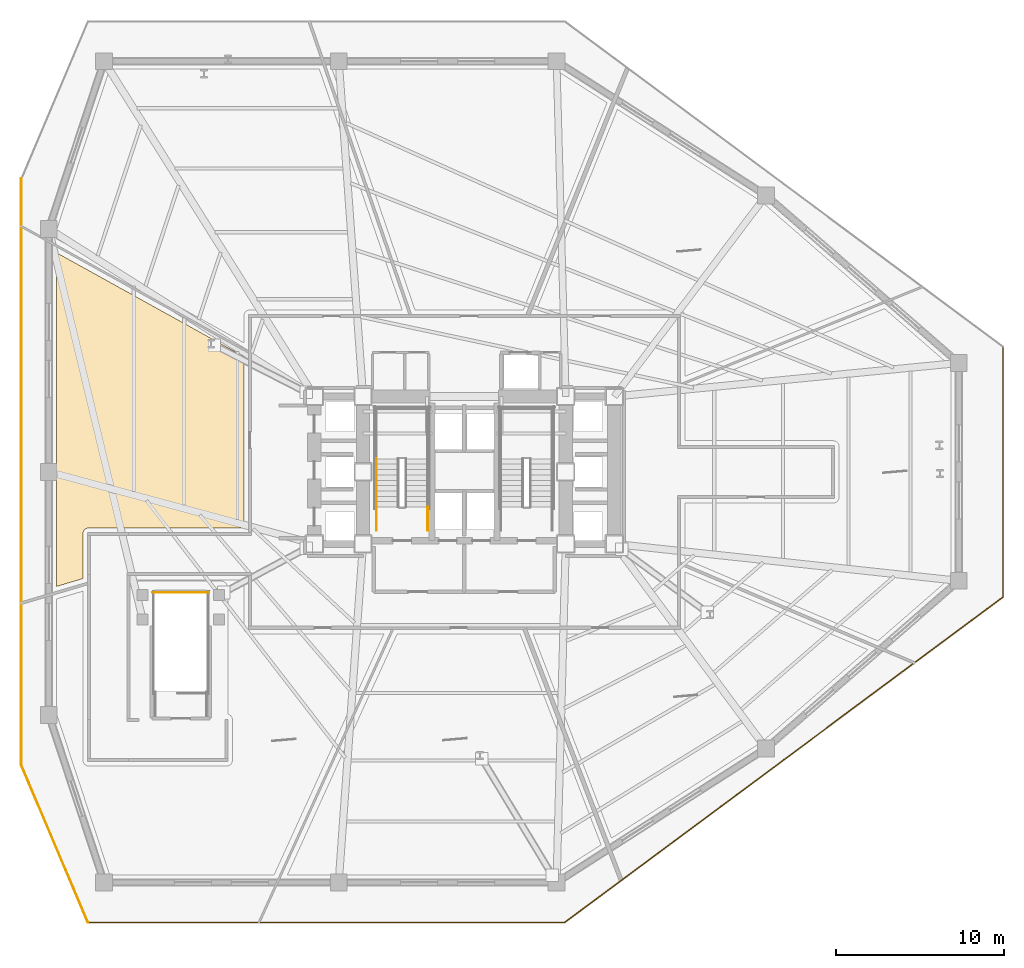
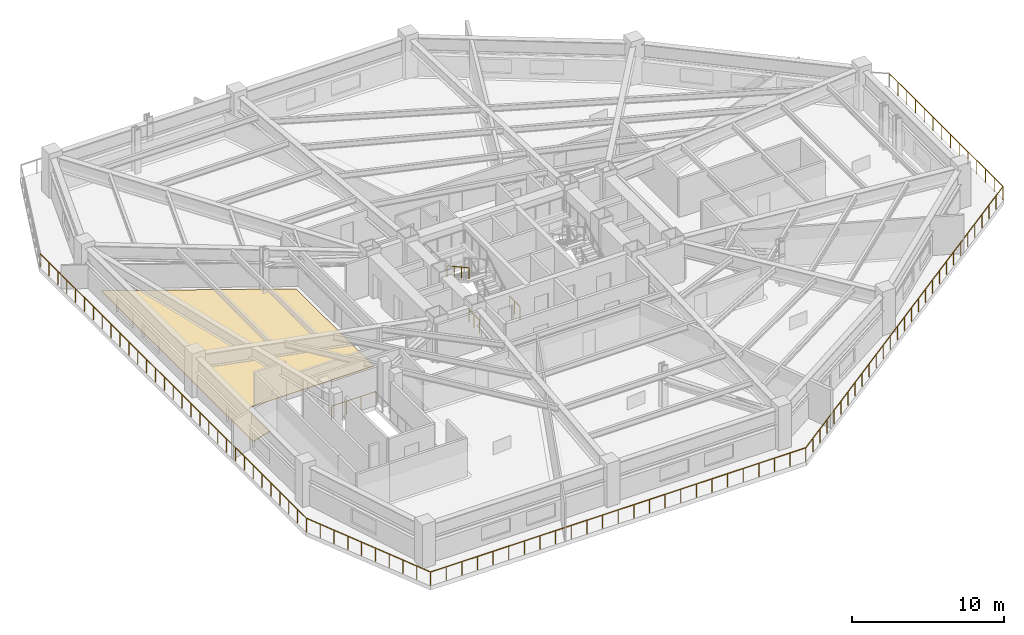
# One storey, part 8 of 10: 6 railings, 1 covering.
"""IFC4 building model written with IfcOpenShell, lengths in metres."""

from ifc_helpers import new_model, si_unit, direction, frame, origin, origin_2d, place, context, subcontext, project, spatial, polyline, rectangle, outline, extrude, material, layer, layer_set, type_object, element, save


model = new_model("IFC4")

# Units and contexts
model_context = context("Model", 3, precision=1e-05, world=origin(), true_north=direction((0.0, 1.0)))
body_context = subcontext(model_context, "Body", "Model", "MODEL_VIEW")
ifc_project = project(units=[si_unit("LENGTHUNIT", "METRE"), si_unit("AREAUNIT", "SQUARE_METRE"), si_unit("VOLUMEUNIT", "CUBIC_METRE"), si_unit("PLANEANGLEUNIT", "RADIAN"), si_unit("MASSUNIT", "GRAM", prefix="KILO")], contexts=[model_context])

# Site, building, storey
site_placement = place(None, origin())
site = spatial("IfcSite", under=ifc_project, at=site_placement, CompositionType="ELEMENT")
building_placement = place(site_placement, origin())
building = spatial("IfcBuilding", under=site, at=building_placement, Name="Rocaltana Carrier Exchange", CompositionType="ELEMENT")
storey_placement = place(building_placement, frame((0.0, 0.0, 15.360107421875)))
storey = spatial("IfcBuildingStorey", under=building, at=storey_placement, Name="L05", CompositionType="ELEMENT", Elevation=15.360107421875)

# Covering
ifc_material_1 = material(Name="Honed Bogota Sandstone Tile", Category="masonry")
ifc_layer_1 = layer(ifc_material_1, 0.0400390625)
ifc_layer_set_1 = layer_set([ifc_layer_1], Name="Honed Bogota Sandstone Tile")
covering_type = type_object("IfcCoveringType", Name="Honed Stone Lobby Flooring 40", PredefinedType="FLOORING", material=ifc_layer_set_1)
covering_placement = place(storey_placement, origin())
element("IfcCovering", 1, at=covering_placement, inside=storey, type_object=covering_type, Name="L05 Quiet Focus Lounge Finish Floor", PredefinedType="FLOORING", context=body_context, shape_type="SweptSolid", body=[
    extrude(outline(polyline([(-24.340087890625, 13.080322265625), (-13.159912109375, 6.883056640625), (-13.159912109375, -3.340087890625), (-22.39990234375, -3.340087890625), (-22.413818359375, -3.34033203125), (-22.421630859375, -3.3408203125), (-22.448974609375, -3.343505859375), (-22.456787109375, -3.344482421875), (-22.483642578125, -3.349853515625), (-22.4912109375, -3.351806640625), (-22.517578125, -3.35986328125), (-22.52490234375, -3.362548828125), (-22.55029296875, -3.373046875), (-22.557373046875, -3.376220703125), (-22.581787109375, -3.389404296875), (-22.58837890625, -3.393310546875), (-22.611083984375, -3.40869140625), (-22.617431640625, -3.413330078125), (-22.638916015625, -3.4306640625), (-22.64453125, -3.43603515625), (-22.6640625, -3.455322265625), (-22.669189453125, -3.461181640625), (-22.686767578125, -3.482421875), (-22.69140625, -3.48876953125), (-22.706787109375, -3.51171875), (-22.710693359375, -3.518310546875), (-22.7236328125, -3.54248046875), (-22.72705078125, -3.5498046875), (-22.737548828125, -3.5751953125), (-22.740234375, -3.58251953125), (-22.748291015625, -3.608642578125), (-22.75, -3.616455078125), (-22.75537109375, -3.643310546875), (-22.756591796875, -3.651123046875), (-22.75927734375, -3.678466796875), (-22.759765625, -3.686279296875), (-22.760009765625, -3.699951171875), (-22.760009765625, -6.366455078125), (-24.340087890625, -6.83447265625), (-24.340087890625, 13.080322265625)])), origin(), (0.0, 0.0, 1.0), 0.039794921875),
])

# Railings
ifc_material_2 = material(Name="Brushed Architectural Stainless Tube", Category="steel")
ifc_layer_2 = layer(ifc_material_2, 0.048095703125)
ifc_layer_set_2 = layer_set([ifc_layer_2], Name="Brushed Architectural Stainless Tube")
railing_type_1 = type_object("IfcRailingType", Name="Stair Wall Handrail 920", PredefinedType="HANDRAIL", material=ifc_layer_set_2)
railing_1_placement = place(storey_placement, frame((-5.25, 0.780029296875, 1.935791015625)))
element("IfcRailing", 2, at=railing_1_placement, inside=storey, type_object=railing_type_1, Name="L05 ST-1 stair handrail 2", PredefinedType="HANDRAIL", context=body_context, shape_type="SweptSolid", body=[
    extrude(rectangle(XDim=0.048095703125, YDim=0.048095703125, at=origin_2d()), frame((0.0, 0.0, 0.8759765625), z_axis=(0.0, -0.876226885812, 0.481898790807), x_axis=(1.0, 0.0, 0.0)), (0.0, 0.0, 1.0), 3.286865234375),
    extrude(rectangle(XDim=0.0419921875, YDim=0.0419921875, at=origin_2d()), origin(), (0.0, 0.0, 1.0), 0.851806640625),
    extrude(rectangle(XDim=0.0419921875, YDim=0.0419921875, at=origin_2d()), frame((0.0, -0.9599609375, 0.528076171875)), (0.0, 0.0, 1.0), 0.851806640625),
    extrude(rectangle(XDim=0.0419921875, YDim=0.0419921875, at=origin_2d()), frame((0.0, -1.920166015625, 1.055908203125)), (0.0, 0.0, 1.0), 0.851806640625),
    extrude(rectangle(XDim=0.0419921875, YDim=0.0419921875, at=origin_2d()), frame((0.0, -2.880126953125, 1.583984375)), (0.0, 0.0, 1.0), 0.851806640625),
])
ifc_material_3 = material(Name="Powder-Coated Aluminium 6063-T6", Category="aluminium")
ifc_layer_3 = layer(ifc_material_3, 0.048095703125)
ifc_layer_set_3 = layer_set([ifc_layer_3], Name="Powder-Coated Aluminium 6063-T6")
railing_type_2 = type_object("IfcRailingType", Name="Stair Well Guardrail 1100", PredefinedType="GUARDRAIL", material=ifc_layer_set_3)
for number, where, name in (
    (3, (-2.18994140625, -3.5, 0.0), "L05 ST-1 stair guard 8"),
    (4, (-5.25, -3.5, 0.0), "L05 ST-1 stair guard 9"),
):
    element("IfcRailing", number, at=place(storey_placement, frame(where)), inside=storey, type_object=railing_type_2, Name=name, PredefinedType="GUARDRAIL", context=body_context, shape_type="SweptSolid", body=[
        extrude(rectangle(XDim=0.048095703125, YDim=0.048095703125, at=origin_2d()), frame((0.0, 0.0, 1.076171875), z_axis=(0.0, 1.0, 0.0), x_axis=(-1.0, 0.0, 0.0)), (0.0, 0.0, 1.0), 1.39990234375),
        extrude(rectangle(XDim=0.0419921875, YDim=0.0419921875, at=origin_2d()), origin(), (0.0, 0.0, 1.0), 1.052001953125),
        extrude(rectangle(XDim=0.0419921875, YDim=0.0419921875, at=origin_2d()), frame((0.0, 0.699951171875, 0.0)), (0.0, 0.0, 1.0), 1.052001953125),
        extrude(rectangle(XDim=0.0419921875, YDim=0.0419921875, at=origin_2d()), frame((0.0, 1.39990234375, 0.0)), (0.0, 0.0, 1.0), 1.052001953125),
    ])
railing_2_placement = place(storey_placement, frame((-15.239990234375, -7.199951171875, 0.0)))
element("IfcRailing", 5, at=railing_2_placement, inside=storey, type_object=railing_type_2, Name="L05 ST-3 top well guard 4", PredefinedType="GUARDRAIL", context=body_context, shape_type="SweptSolid", body=[
    extrude(rectangle(XDim=0.048095703125, YDim=0.048095703125, at=origin_2d()), frame((0.0, 0.0, 1.076171875), z_axis=(-1.0, 0.0, 0.0), x_axis=(0.0, -1.0, 0.0)), (0.0, 0.0, 1.0), 3.360107421875),
    extrude(rectangle(XDim=0.0419921875, YDim=0.0419921875, at=origin_2d()), origin(), (0.0, 0.0, 1.0), 1.052001953125),
    extrude(rectangle(XDim=0.0419921875, YDim=0.0419921875, at=origin_2d()), frame((-1.1201171875, 0.0, 0.0)), (0.0, 0.0, 1.0), 1.052001953125),
    extrude(rectangle(XDim=0.0419921875, YDim=0.0419921875, at=origin_2d()), frame((-2.239990234375, 0.0, 0.0)), (0.0, 0.0, 1.0), 1.052001953125),
    extrude(rectangle(XDim=0.0419921875, YDim=0.0419921875, at=origin_2d()), frame((-3.360107421875, 0.0, 0.0)), (0.0, 0.0, 1.0), 1.052001953125),
])
ifc_material_4 = material(Name="Powder-Coated Aluminium 6063-T6", Category="aluminium")
ifc_layer_4 = layer(ifc_material_4, 0.06005859375)
ifc_layer_set_4 = layer_set([ifc_layer_4], Name="Powder-Coated Aluminium 6063-T6")
railing_type_3 = type_object("IfcRailingType", Name="Wind-Floor & Terrace Perimeter Guardrail 1100", PredefinedType="GUARDRAIL", material=ifc_layer_set_4)
railing_3_placement = place(storey_placement, frame((-22.460205078125, -26.889892578125, 0.0)))
element("IfcRailing", 6, at=railing_3_placement, inside=storey, type_object=railing_type_3, Name="L05 Perimeter Balcony Guardrail 1", PredefinedType="GUARDRAIL", context=body_context, shape_type="SweptSolid", body=[
    extrude(rectangle(XDim=0.048095703125, YDim=0.048095703125, at=origin_2d()), frame((0.0, 0.0, 1.076171875), z_axis=(-0.389799902601, 0.920899579722, 0.0), x_axis=(-0.920899579722, -0.389799902601, 0.0)), (0.0, 0.0, 1.0), 10.209716796875),
    extrude(rectangle(XDim=0.048095703125, YDim=0.048095703125, at=origin_2d()), frame((-3.979736328125, 9.402099609375, 1.076171875), z_axis=(0.0, 1.0, 0.0), x_axis=(-1.0, 0.0, 0.0)), (0.0, 0.0, 1.0), 34.9755859375),
    extrude(rectangle(XDim=0.0419921875, YDim=0.0419921875, at=origin_2d()), origin(), (0.0, 0.0, 1.0), 1.052001953125),
    extrude(rectangle(XDim=0.0419921875, YDim=0.0419921875, at=origin_2d()), frame((-0.442138671875, 1.044677734375, 0.0)), (0.0, 0.0, 1.0), 1.052001953125),
    extrude(rectangle(XDim=0.0419921875, YDim=0.0419921875, at=origin_2d()), frame((-0.88427734375, 2.08935546875, 0.0)), (0.0, 0.0, 1.0), 1.052001953125),
    extrude(rectangle(XDim=0.0419921875, YDim=0.0419921875, at=origin_2d()), frame((-1.32666015625, 3.134033203125, 0.0)), (0.0, 0.0, 1.0), 1.052001953125),
    extrude(rectangle(XDim=0.0419921875, YDim=0.0419921875, at=origin_2d()), frame((-1.768798828125, 4.1787109375, 0.0)), (0.0, 0.0, 1.0), 1.052001953125),
    extrude(rectangle(XDim=0.0419921875, YDim=0.0419921875, at=origin_2d()), frame((-2.2109375, 5.223388671875, 0.0)), (0.0, 0.0, 1.0), 1.052001953125),
    extrude(rectangle(XDim=0.0419921875, YDim=0.0419921875, at=origin_2d()), frame((-2.653076171875, 6.26806640625, 0.0)), (0.0, 0.0, 1.0), 1.052001953125),
    extrude(rectangle(XDim=0.0419921875, YDim=0.0419921875, at=origin_2d()), frame((-3.095458984375, 7.312744140625, 0.0)), (0.0, 0.0, 1.0), 1.052001953125),
    extrude(rectangle(XDim=0.0419921875, YDim=0.0419921875, at=origin_2d()), frame((-3.53759765625, 8.357421875, 0.0)), (0.0, 0.0, 1.0), 1.052001953125),
    extrude(rectangle(XDim=0.0419921875, YDim=0.0419921875, at=origin_2d()), frame((-3.979736328125, 9.402099609375, 0.0)), (0.0, 0.0, 1.0), 1.052001953125),
    extrude(rectangle(XDim=0.0419921875, YDim=0.0419921875, at=origin_2d()), frame((-3.979736328125, 10.56787109375, 0.0)), (0.0, 0.0, 1.0), 1.052001953125),
    extrude(rectangle(XDim=0.0419921875, YDim=0.0419921875, at=origin_2d()), frame((-3.979736328125, 11.73388671875, 0.0)), (0.0, 0.0, 1.0), 1.052001953125),
    extrude(rectangle(XDim=0.0419921875, YDim=0.0419921875, at=origin_2d()), frame((-3.979736328125, 12.899658203125, 0.0)), (0.0, 0.0, 1.0), 1.052001953125),
    extrude(rectangle(XDim=0.0419921875, YDim=0.0419921875, at=origin_2d()), frame((-3.979736328125, 14.0654296875, 0.0)), (0.0, 0.0, 1.0), 1.052001953125),
    extrude(rectangle(XDim=0.0419921875, YDim=0.0419921875, at=origin_2d()), frame((-3.979736328125, 15.2314453125, 0.0)), (0.0, 0.0, 1.0), 1.052001953125),
    extrude(rectangle(XDim=0.0419921875, YDim=0.0419921875, at=origin_2d()), frame((-3.979736328125, 16.397216796875, 0.0)), (0.0, 0.0, 1.0), 1.052001953125),
    extrude(rectangle(XDim=0.0419921875, YDim=0.0419921875, at=origin_2d()), frame((-3.979736328125, 17.56298828125, 0.0)), (0.0, 0.0, 1.0), 1.052001953125),
    extrude(rectangle(XDim=0.0419921875, YDim=0.0419921875, at=origin_2d()), frame((-3.979736328125, 18.72900390625, 0.0)), (0.0, 0.0, 1.0), 1.052001953125),
    extrude(rectangle(XDim=0.0419921875, YDim=0.0419921875, at=origin_2d()), frame((-3.979736328125, 19.894775390625, 0.0)), (0.0, 0.0, 1.0), 1.052001953125),
    extrude(rectangle(XDim=0.0419921875, YDim=0.0419921875, at=origin_2d()), frame((-3.979736328125, 21.060546875, 0.0)), (0.0, 0.0, 1.0), 1.052001953125),
    extrude(rectangle(XDim=0.0419921875, YDim=0.0419921875, at=origin_2d()), frame((-3.979736328125, 22.2265625, 0.0)), (0.0, 0.0, 1.0), 1.052001953125),
    extrude(rectangle(XDim=0.0419921875, YDim=0.0419921875, at=origin_2d()), frame((-3.979736328125, 23.392333984375, 0.0)), (0.0, 0.0, 1.0), 1.052001953125),
    extrude(rectangle(XDim=0.0419921875, YDim=0.0419921875, at=origin_2d()), frame((-3.979736328125, 24.55810546875, 0.0)), (0.0, 0.0, 1.0), 1.052001953125),
    extrude(rectangle(XDim=0.0419921875, YDim=0.0419921875, at=origin_2d()), frame((-3.979736328125, 25.72412109375, 0.0)), (0.0, 0.0, 1.0), 1.052001953125),
    extrude(rectangle(XDim=0.0419921875, YDim=0.0419921875, at=origin_2d()), frame((-3.979736328125, 26.889892578125, 0.0)), (0.0, 0.0, 1.0), 1.052001953125),
    extrude(rectangle(XDim=0.0419921875, YDim=0.0419921875, at=origin_2d()), frame((-3.979736328125, 28.0556640625, 0.0)), (0.0, 0.0, 1.0), 1.052001953125),
    extrude(rectangle(XDim=0.0419921875, YDim=0.0419921875, at=origin_2d()), frame((-3.979736328125, 29.2216796875, 0.0)), (0.0, 0.0, 1.0), 1.052001953125),
    extrude(rectangle(XDim=0.0419921875, YDim=0.0419921875, at=origin_2d()), frame((-3.979736328125, 30.387451171875, 0.0)), (0.0, 0.0, 1.0), 1.052001953125),
    extrude(rectangle(XDim=0.0419921875, YDim=0.0419921875, at=origin_2d()), frame((-3.979736328125, 31.55322265625, 0.0)), (0.0, 0.0, 1.0), 1.052001953125),
    extrude(rectangle(XDim=0.0419921875, YDim=0.0419921875, at=origin_2d()), frame((-3.979736328125, 32.71923828125, 0.0)), (0.0, 0.0, 1.0), 1.052001953125),
    extrude(rectangle(XDim=0.0419921875, YDim=0.0419921875, at=origin_2d()), frame((-3.979736328125, 33.885009765625, 0.0)), (0.0, 0.0, 1.0), 1.052001953125),
    extrude(rectangle(XDim=0.0419921875, YDim=0.0419921875, at=origin_2d()), frame((-3.979736328125, 35.05078125, 0.0)), (0.0, 0.0, 1.0), 1.052001953125),
    extrude(rectangle(XDim=0.0419921875, YDim=0.0419921875, at=origin_2d()), frame((-3.979736328125, 36.216796875, 0.0)), (0.0, 0.0, 1.0), 1.052001953125),
    extrude(rectangle(XDim=0.0419921875, YDim=0.0419921875, at=origin_2d()), frame((-3.979736328125, 37.382568359375, 0.0)), (0.0, 0.0, 1.0), 1.052001953125),
    extrude(rectangle(XDim=0.0419921875, YDim=0.0419921875, at=origin_2d()), frame((-3.979736328125, 38.54833984375, 0.0)), (0.0, 0.0, 1.0), 1.052001953125),
    extrude(rectangle(XDim=0.0419921875, YDim=0.0419921875, at=origin_2d()), frame((-3.979736328125, 39.71435546875, 0.0)), (0.0, 0.0, 1.0), 1.052001953125),
    extrude(rectangle(XDim=0.0419921875, YDim=0.0419921875, at=origin_2d()), frame((-3.979736328125, 40.880126953125, 0.0)), (0.0, 0.0, 1.0), 1.052001953125),
    extrude(rectangle(XDim=0.0419921875, YDim=0.0419921875, at=origin_2d()), frame((-3.979736328125, 42.0458984375, 0.0)), (0.0, 0.0, 1.0), 1.052001953125),
    extrude(rectangle(XDim=0.0419921875, YDim=0.0419921875, at=origin_2d()), frame((-3.979736328125, 43.2119140625, 0.0)), (0.0, 0.0, 1.0), 1.052001953125),
    extrude(rectangle(XDim=0.0419921875, YDim=0.0419921875, at=origin_2d()), frame((-3.979736328125, 44.377685546875, 0.0)), (0.0, 0.0, 1.0), 1.052001953125),
])
railing_4_placement = place(storey_placement, frame((32.139892578125, 7.4697265625, 0.0)))
element("IfcRailing", 7, at=railing_4_placement, inside=storey, type_object=railing_type_3, Name="L05 Perimeter Balcony Guardrail 3", PredefinedType="GUARDRAIL", context=body_context, shape_type="SweptSolid", body=[
    extrude(rectangle(XDim=0.048095703125, YDim=0.048095703125, at=origin_2d()), frame((0.0, 0.0, 1.076171875), z_axis=(0.0, -1.0, 0.0), x_axis=(1.0, 0.0, 0.0)), (0.0, 0.0, 1.0), 14.939453125),
    extrude(rectangle(XDim=0.048095703125, YDim=0.048095703125, at=origin_2d()), frame((0.0, -14.939453125, 1.076171875), z_axis=(-0.802930850868, -0.596072184156, 0.0), x_axis=(0.596072184156, -0.802930850868, 0.0)), (0.0, 0.0, 1.0), 32.580322265625),
    extrude(rectangle(XDim=0.048095703125, YDim=0.048095703125, at=origin_2d()), frame((-26.15966796875, -34.359619140625, 1.076171875), z_axis=(-1.0, 0.0, 0.0), x_axis=(0.0, -1.0, 0.0)), (0.0, 0.0, 1.0), 28.4404296875),
    extrude(rectangle(XDim=0.0419921875, YDim=0.0419921875, at=origin_2d()), origin(), (0.0, 0.0, 1.0), 1.052001953125),
    extrude(rectangle(XDim=0.0419921875, YDim=0.0419921875, at=origin_2d()), frame((0.0, -1.149169921875, 0.0)), (0.0, 0.0, 1.0), 1.052001953125),
    extrude(rectangle(XDim=0.0419921875, YDim=0.0419921875, at=origin_2d()), frame((0.0, -2.29833984375, 0.0)), (0.0, 0.0, 1.0), 1.052001953125),
    extrude(rectangle(XDim=0.0419921875, YDim=0.0419921875, at=origin_2d()), frame((0.0, -3.447509765625, 0.0)), (0.0, 0.0, 1.0), 1.052001953125),
    extrude(rectangle(XDim=0.0419921875, YDim=0.0419921875, at=origin_2d()), frame((0.0, -4.5966796875, 0.0)), (0.0, 0.0, 1.0), 1.052001953125),
    extrude(rectangle(XDim=0.0419921875, YDim=0.0419921875, at=origin_2d()), frame((0.0, -5.745849609375, 0.0)), (0.0, 0.0, 1.0), 1.052001953125),
    extrude(rectangle(XDim=0.0419921875, YDim=0.0419921875, at=origin_2d()), frame((0.0, -6.89501953125, 0.0)), (0.0, 0.0, 1.0), 1.052001953125),
    extrude(rectangle(XDim=0.0419921875, YDim=0.0419921875, at=origin_2d()), frame((0.0, -8.04443359375, 0.0)), (0.0, 0.0, 1.0), 1.052001953125),
    extrude(rectangle(XDim=0.0419921875, YDim=0.0419921875, at=origin_2d()), frame((0.0, -9.193603515625, 0.0)), (0.0, 0.0, 1.0), 1.052001953125),
    extrude(rectangle(XDim=0.0419921875, YDim=0.0419921875, at=origin_2d()), frame((0.0, -10.3427734375, 0.0)), (0.0, 0.0, 1.0), 1.052001953125),
    extrude(rectangle(XDim=0.0419921875, YDim=0.0419921875, at=origin_2d()), frame((0.0, -11.491943359375, 0.0)), (0.0, 0.0, 1.0), 1.052001953125),
    extrude(rectangle(XDim=0.0419921875, YDim=0.0419921875, at=origin_2d()), frame((0.0, -12.64111328125, 0.0)), (0.0, 0.0, 1.0), 1.052001953125),
    extrude(rectangle(XDim=0.0419921875, YDim=0.0419921875, at=origin_2d()), frame((0.0, -13.790283203125, 0.0)), (0.0, 0.0, 1.0), 1.052001953125),
    extrude(rectangle(XDim=0.0419921875, YDim=0.0419921875, at=origin_2d()), frame((0.0, -14.939453125, 0.0)), (0.0, 0.0, 1.0), 1.052001953125),
    extrude(rectangle(XDim=0.0419921875, YDim=0.0419921875, at=origin_2d()), frame((-0.934326171875, -15.633056640625, 0.0)), (0.0, 0.0, 1.0), 1.052001953125),
    extrude(rectangle(XDim=0.0419921875, YDim=0.0419921875, at=origin_2d()), frame((-1.86865234375, -16.32666015625, 0.0)), (0.0, 0.0, 1.0), 1.052001953125),
    extrude(rectangle(XDim=0.0419921875, YDim=0.0419921875, at=origin_2d()), frame((-2.802734375, -17.020263671875, 0.0)), (0.0, 0.0, 1.0), 1.052001953125),
    extrude(rectangle(XDim=0.0419921875, YDim=0.0419921875, at=origin_2d()), frame((-3.737060546875, -17.7138671875, 0.0)), (0.0, 0.0, 1.0), 1.052001953125),
    extrude(rectangle(XDim=0.0419921875, YDim=0.0419921875, at=origin_2d()), frame((-4.67138671875, -18.4072265625, 0.0)), (0.0, 0.0, 1.0), 1.052001953125),
    extrude(rectangle(XDim=0.0419921875, YDim=0.0419921875, at=origin_2d()), frame((-5.605712890625, -19.100830078125, 0.0)), (0.0, 0.0, 1.0), 1.052001953125),
    extrude(rectangle(XDim=0.0419921875, YDim=0.0419921875, at=origin_2d()), frame((-6.5400390625, -19.79443359375, 0.0)), (0.0, 0.0, 1.0), 1.052001953125),
    extrude(rectangle(XDim=0.0419921875, YDim=0.0419921875, at=origin_2d()), frame((-7.47412109375, -20.488037109375, 0.0)), (0.0, 0.0, 1.0), 1.052001953125),
    extrude(rectangle(XDim=0.0419921875, YDim=0.0419921875, at=origin_2d()), frame((-8.408447265625, -21.181640625, 0.0)), (0.0, 0.0, 1.0), 1.052001953125),
    extrude(rectangle(XDim=0.0419921875, YDim=0.0419921875, at=origin_2d()), frame((-9.3427734375, -21.875244140625, 0.0)), (0.0, 0.0, 1.0), 1.052001953125),
    extrude(rectangle(XDim=0.0419921875, YDim=0.0419921875, at=origin_2d()), frame((-10.277099609375, -22.56884765625, 0.0)), (0.0, 0.0, 1.0), 1.052001953125),
    extrude(rectangle(XDim=0.0419921875, YDim=0.0419921875, at=origin_2d()), frame((-11.211181640625, -23.262451171875, 0.0)), (0.0, 0.0, 1.0), 1.052001953125),
    extrude(rectangle(XDim=0.0419921875, YDim=0.0419921875, at=origin_2d()), frame((-12.1455078125, -23.9560546875, 0.0)), (0.0, 0.0, 1.0), 1.052001953125),
    extrude(rectangle(XDim=0.0419921875, YDim=0.0419921875, at=origin_2d()), frame((-13.079833984375, -24.6494140625, 0.0)), (0.0, 0.0, 1.0), 1.052001953125),
    extrude(rectangle(XDim=0.0419921875, YDim=0.0419921875, at=origin_2d()), frame((-14.01416015625, -25.343017578125, 0.0)), (0.0, 0.0, 1.0), 1.052001953125),
    extrude(rectangle(XDim=0.0419921875, YDim=0.0419921875, at=origin_2d()), frame((-14.948486328125, -26.03662109375, 0.0)), (0.0, 0.0, 1.0), 1.052001953125),
    extrude(rectangle(XDim=0.0419921875, YDim=0.0419921875, at=origin_2d()), frame((-15.882568359375, -26.730224609375, 0.0)), (0.0, 0.0, 1.0), 1.052001953125),
    extrude(rectangle(XDim=0.0419921875, YDim=0.0419921875, at=origin_2d()), frame((-16.81689453125, -27.423828125, 0.0)), (0.0, 0.0, 1.0), 1.052001953125),
    extrude(rectangle(XDim=0.0419921875, YDim=0.0419921875, at=origin_2d()), frame((-17.751220703125, -28.117431640625, 0.0)), (0.0, 0.0, 1.0), 1.052001953125),
    extrude(rectangle(XDim=0.0419921875, YDim=0.0419921875, at=origin_2d()), frame((-18.685546875, -28.81103515625, 0.0)), (0.0, 0.0, 1.0), 1.052001953125),
    extrude(rectangle(XDim=0.0419921875, YDim=0.0419921875, at=origin_2d()), frame((-19.61962890625, -29.504638671875, 0.0)), (0.0, 0.0, 1.0), 1.052001953125),
    extrude(rectangle(XDim=0.0419921875, YDim=0.0419921875, at=origin_2d()), frame((-20.553955078125, -30.1982421875, 0.0)), (0.0, 0.0, 1.0), 1.052001953125),
    extrude(rectangle(XDim=0.0419921875, YDim=0.0419921875, at=origin_2d()), frame((-21.48828125, -30.891845703125, 0.0)), (0.0, 0.0, 1.0), 1.052001953125),
    extrude(rectangle(XDim=0.0419921875, YDim=0.0419921875, at=origin_2d()), frame((-22.422607421875, -31.585205078125, 0.0)), (0.0, 0.0, 1.0), 1.052001953125),
    extrude(rectangle(XDim=0.0419921875, YDim=0.0419921875, at=origin_2d()), frame((-23.35693359375, -32.27880859375, 0.0)), (0.0, 0.0, 1.0), 1.052001953125),
    extrude(rectangle(XDim=0.0419921875, YDim=0.0419921875, at=origin_2d()), frame((-24.291015625, -32.972412109375, 0.0)), (0.0, 0.0, 1.0), 1.052001953125),
    extrude(rectangle(XDim=0.0419921875, YDim=0.0419921875, at=origin_2d()), frame((-25.225341796875, -33.666015625, 0.0)), (0.0, 0.0, 1.0), 1.052001953125),
    extrude(rectangle(XDim=0.0419921875, YDim=0.0419921875, at=origin_2d()), frame((-26.15966796875, -34.359619140625, 0.0)), (0.0, 0.0, 1.0), 1.052001953125),
    extrude(rectangle(XDim=0.0419921875, YDim=0.0419921875, at=origin_2d()), frame((-27.3447265625, -34.359619140625, 0.0)), (0.0, 0.0, 1.0), 1.052001953125),
    extrude(rectangle(XDim=0.0419921875, YDim=0.0419921875, at=origin_2d()), frame((-28.52978515625, -34.359619140625, 0.0)), (0.0, 0.0, 1.0), 1.052001953125),
    extrude(rectangle(XDim=0.0419921875, YDim=0.0419921875, at=origin_2d()), frame((-29.71484375, -34.359619140625, 0.0)), (0.0, 0.0, 1.0), 1.052001953125),
    extrude(rectangle(XDim=0.0419921875, YDim=0.0419921875, at=origin_2d()), frame((-30.899658203125, -34.359619140625, 0.0)), (0.0, 0.0, 1.0), 1.052001953125),
    extrude(rectangle(XDim=0.0419921875, YDim=0.0419921875, at=origin_2d()), frame((-32.084716796875, -34.359619140625, 0.0)), (0.0, 0.0, 1.0), 1.052001953125),
    extrude(rectangle(XDim=0.0419921875, YDim=0.0419921875, at=origin_2d()), frame((-33.269775390625, -34.359619140625, 0.0)), (0.0, 0.0, 1.0), 1.052001953125),
    extrude(rectangle(XDim=0.0419921875, YDim=0.0419921875, at=origin_2d()), frame((-34.454833984375, -34.359619140625, 0.0)), (0.0, 0.0, 1.0), 1.052001953125),
    extrude(rectangle(XDim=0.0419921875, YDim=0.0419921875, at=origin_2d()), frame((-35.639892578125, -34.359619140625, 0.0)), (0.0, 0.0, 1.0), 1.052001953125),
    extrude(rectangle(XDim=0.0419921875, YDim=0.0419921875, at=origin_2d()), frame((-36.82470703125, -34.359619140625, 0.0)), (0.0, 0.0, 1.0), 1.052001953125),
    extrude(rectangle(XDim=0.0419921875, YDim=0.0419921875, at=origin_2d()), frame((-38.009765625, -34.359619140625, 0.0)), (0.0, 0.0, 1.0), 1.052001953125),
    extrude(rectangle(XDim=0.0419921875, YDim=0.0419921875, at=origin_2d()), frame((-39.19482421875, -34.359619140625, 0.0)), (0.0, 0.0, 1.0), 1.052001953125),
    extrude(rectangle(XDim=0.0419921875, YDim=0.0419921875, at=origin_2d()), frame((-40.3798828125, -34.359619140625, 0.0)), (0.0, 0.0, 1.0), 1.052001953125),
    extrude(rectangle(XDim=0.0419921875, YDim=0.0419921875, at=origin_2d()), frame((-41.56494140625, -34.359619140625, 0.0)), (0.0, 0.0, 1.0), 1.052001953125),
    extrude(rectangle(XDim=0.0419921875, YDim=0.0419921875, at=origin_2d()), frame((-42.75, -34.359619140625, 0.0)), (0.0, 0.0, 1.0), 1.052001953125),
    extrude(rectangle(XDim=0.0419921875, YDim=0.0419921875, at=origin_2d()), frame((-43.93505859375, -34.359619140625, 0.0)), (0.0, 0.0, 1.0), 1.052001953125),
    extrude(rectangle(XDim=0.0419921875, YDim=0.0419921875, at=origin_2d()), frame((-45.119873046875, -34.359619140625, 0.0)), (0.0, 0.0, 1.0), 1.052001953125),
    extrude(rectangle(XDim=0.0419921875, YDim=0.0419921875, at=origin_2d()), frame((-46.304931640625, -34.359619140625, 0.0)), (0.0, 0.0, 1.0), 1.052001953125),
    extrude(rectangle(XDim=0.0419921875, YDim=0.0419921875, at=origin_2d()), frame((-47.489990234375, -34.359619140625, 0.0)), (0.0, 0.0, 1.0), 1.052001953125),
    extrude(rectangle(XDim=0.0419921875, YDim=0.0419921875, at=origin_2d()), frame((-48.675048828125, -34.359619140625, 0.0)), (0.0, 0.0, 1.0), 1.052001953125),
    extrude(rectangle(XDim=0.0419921875, YDim=0.0419921875, at=origin_2d()), frame((-49.860107421875, -34.359619140625, 0.0)), (0.0, 0.0, 1.0), 1.052001953125),
    extrude(rectangle(XDim=0.0419921875, YDim=0.0419921875, at=origin_2d()), frame((-51.044921875, -34.359619140625, 0.0)), (0.0, 0.0, 1.0), 1.052001953125),
    extrude(rectangle(XDim=0.0419921875, YDim=0.0419921875, at=origin_2d()), frame((-52.22998046875, -34.359619140625, 0.0)), (0.0, 0.0, 1.0), 1.052001953125),
    extrude(rectangle(XDim=0.0419921875, YDim=0.0419921875, at=origin_2d()), frame((-53.4150390625, -34.359619140625, 0.0)), (0.0, 0.0, 1.0), 1.052001953125),
    extrude(rectangle(XDim=0.0419921875, YDim=0.0419921875, at=origin_2d()), frame((-54.60009765625, -34.359619140625, 0.0)), (0.0, 0.0, 1.0), 1.052001953125),
])

save(model, "model.ifc")
